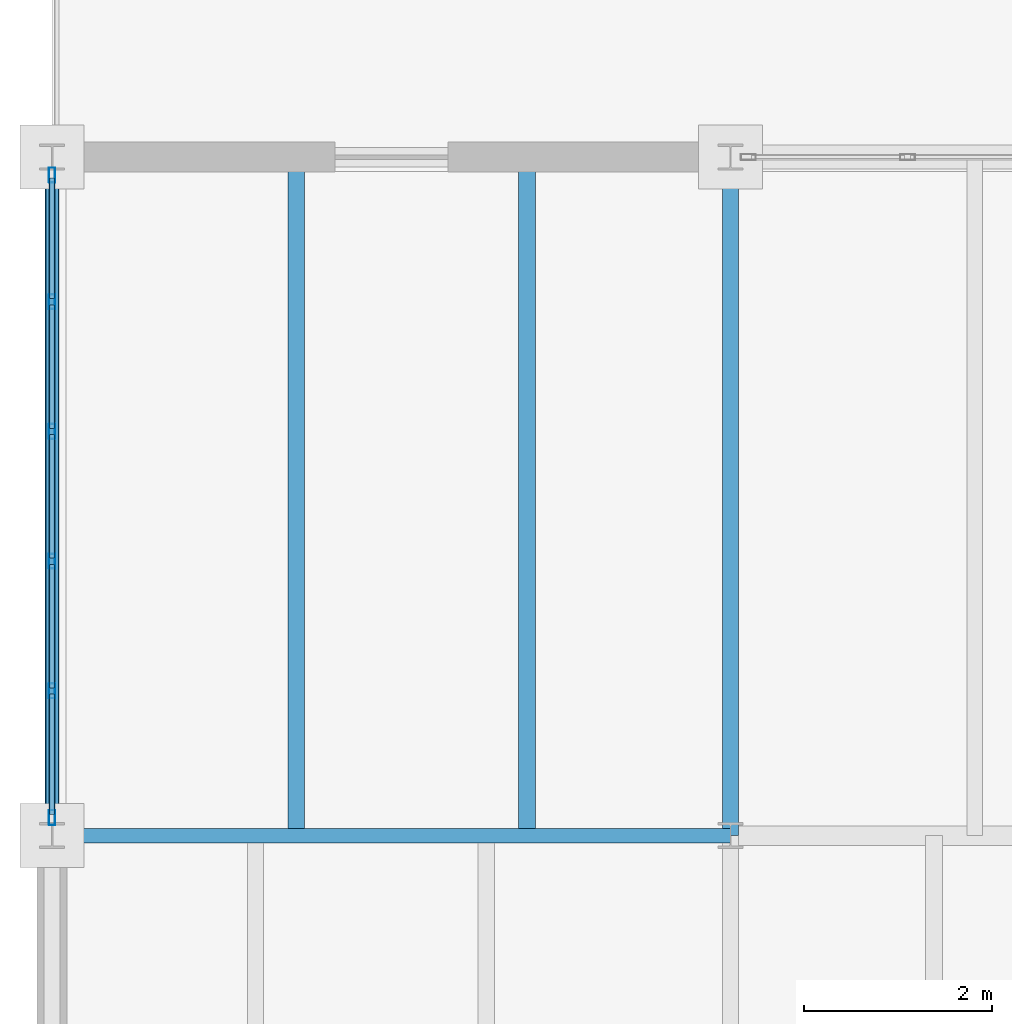
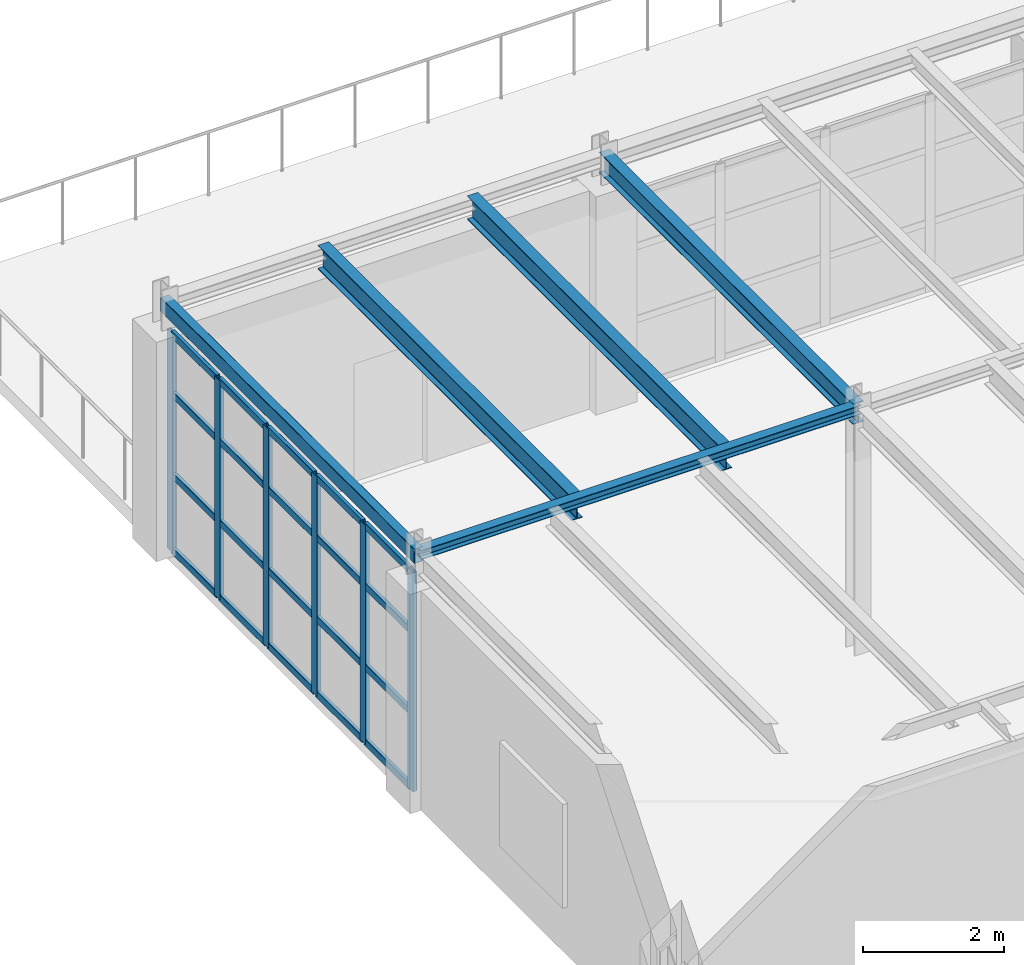
# One storey, part 70 of 101: 26 members, 5 beams, 1 element without a shape of its own.
"""IFC4 building model written with IfcOpenShell, lengths in metres."""

from ifc_helpers import new_model, si_unit, direction, frame, origin, origin_2d, place, context, subcontext, project, spatial, hollow_rectangle, i_section, extrude, material, layer, layer_set, material_profile, profile_set, type_object, element, aggregate, save


model = new_model("IFC4")

# Units and contexts
model_context = context("Model", 3, precision=1e-05, world=origin(), true_north=direction((0.0, 1.0)))
body_context = subcontext(model_context, "Body", "Model", "MODEL_VIEW")
ifc_project = project(units=[si_unit("LENGTHUNIT", "METRE"), si_unit("AREAUNIT", "SQUARE_METRE"), si_unit("VOLUMEUNIT", "CUBIC_METRE"), si_unit("PLANEANGLEUNIT", "RADIAN"), si_unit("MASSUNIT", "GRAM", prefix="KILO")], contexts=[model_context])

# Site, building, storey
site_placement = place(None, origin())
site = spatial("IfcSite", under=ifc_project, at=site_placement, CompositionType="ELEMENT")
building_placement = place(site_placement, origin())
building = spatial("IfcBuilding", under=site, at=building_placement, Name="Kemerveld Promenade Tramway Depot", CompositionType="ELEMENT")
storey_placement = place(building_placement, frame((0.0, 0.0, 9.89990234375)))
storey = spatial("IfcBuildingStorey", under=building, at=storey_placement, Name="L02", CompositionType="ELEMENT", Elevation=9.89990234375)

# Beams
ifc_material_1 = material(Name="Steel S355", Category="steel")
ifc_material_profile_1 = material_profile(ifc_material_1, i_section(OverallWidth=0.172119140625, OverallDepth=0.35791015625, WebThickness=0.008056640625, FlangeThickness=0.012939453125, FilletRadius=0.01025390625, at=origin_2d()), Name="356x171x57 UB")
ifc_profile_set_1 = profile_set([ifc_material_profile_1], Name="Steel S355")
beam_type_1 = type_object("IfcBeamType", Name="BM-G08", PredefinedType="BEAM", material=ifc_profile_set_1)
beam_1_placement = place(storey_placement, frame((7.199951171875, 64.800048828125, 4.106201171875), z_axis=(0.0, 1.0, 0.0), x_axis=(-1.0, 0.0, 0.0)))
element("IfcBeam", 1, at=beam_1_placement, inside=storey, type_object=beam_type_1, Name="BMY-L02-02-K-L", PredefinedType="BEAM", context=body_context, shape_type="SweptSolid", body=[
    extrude(i_section(OverallWidth=0.172119140625, OverallDepth=0.35791015625, WebThickness=0.008056640625, FlangeThickness=0.012939453125, FilletRadius=0.01025390625, at=origin_2d()), origin(), (0.0, 0.0, 1.0), 7.199951171875),
])
ifc_material_profile_2 = material_profile(ifc_material_1, i_section(OverallWidth=0.1787109375, OverallDepth=0.409423828125, WebThickness=0.0087890625, FlangeThickness=0.014404296875, FilletRadius=0.01025390625, at=origin_2d()), Name="406x178x67 UB")
ifc_profile_set_2 = profile_set([ifc_material_profile_2], Name="Steel S355")
beam_type_2 = type_object("IfcBeamType", Name="BM-J05", PredefinedType="JOIST", material=ifc_profile_set_2)
for number, where, z_axis, x_axis, name in (
    (2, (2.592041015625, 64.800048828125, 4.080322265625), (0.0, 1.0, 0.0), (-1.0, 0.0, 0.0), "JST-L02-01-K-1"),
    (3, (5.0400390625, 64.800048828125, 4.080322265625), (0.0, 1.0, 0.0), (-1.0, 0.0, 0.0), "JST-L02-01-K-2"),
):
    element("IfcBeam", number, at=place(storey_placement, frame(where, z_axis=z_axis, x_axis=x_axis)), inside=storey, type_object=beam_type_2, Name=name, PredefinedType="JOIST", context=body_context, shape_type="SweptSolid", body=[
        extrude(i_section(OverallWidth=0.1787109375, OverallDepth=0.409423828125, WebThickness=0.0087890625, FlangeThickness=0.014404296875, FilletRadius=0.01025390625, at=origin_2d()), origin(), (0.0, 0.0, 1.0), 7.199951171875),
    ])
ifc_material_profile_3 = material_profile(ifc_material_1, i_section(OverallWidth=0.154296875, OverallDepth=0.161865234375, WebThickness=0.008056640625, FlangeThickness=0.011474609375, FilletRadius=0.007568359375, at=origin_2d()), Name="152x152x37 UC")
ifc_profile_set_3 = profile_set([ifc_material_profile_3], Name="Steel S355")
beam_type_3 = type_object("IfcBeamType", Name="BM-LN2", PredefinedType="LINTEL", material=ifc_profile_set_3)
beam_2_placement = place(storey_placement, frame((0.0, 64.800048828125, 4.2041015625), z_axis=(1.0, 0.0, 0.0), x_axis=(0.0, 1.0, 0.0)))
element("IfcBeam", 4, at=beam_2_placement, inside=storey, type_object=beam_type_3, Name="BMX-L02-01-02-K", PredefinedType="LINTEL", context=body_context, shape_type="SweptSolid", body=[
    extrude(i_section(OverallWidth=0.154296875, OverallDepth=0.161865234375, WebThickness=0.008056640625, FlangeThickness=0.011474609375, FilletRadius=0.007568359375, at=origin_2d()), origin(), (0.0, 0.0, 1.0), 7.199951171875),
])
ifc_material_profile_4 = material_profile(ifc_material_1, hollow_rectangle(XDim=0.14990234375, YDim=0.25, WallThickness=0.010009765625, InnerFilletRadius=0.0048828125, OuterFilletRadius=0.014892578125, at=origin_2d()), Name="250x150x10.0 RHS")
ifc_profile_set_4 = profile_set([ifc_material_profile_4], Name="Steel S355")
beam_type_4 = type_object("IfcBeamType", Name="BM-SP2", PredefinedType="SPANDREL", material=ifc_profile_set_4)
beam_3_placement = place(storey_placement, frame((0.0, 64.800048828125, 4.16015625), z_axis=(0.0, 1.0, 0.0), x_axis=(-1.0, 0.0, 0.0)))
element("IfcBeam", 5, at=beam_3_placement, inside=storey, type_object=beam_type_4, Name="BMY-L02-01-K-L", PredefinedType="SPANDREL", context=body_context, shape_type="SweptSolid", body=[
    extrude(hollow_rectangle(XDim=0.14990234375, YDim=0.25, WallThickness=0.010009765625, InnerFilletRadius=0.0048828125, OuterFilletRadius=0.014892578125, at=origin_2d()), origin(), (0.0, 0.0, 1.0), 7.199951171875),
])

# Curtain wall, members
ifc_material_2 = material(Name="Bronze anodised aluminium and solar glass", Category="aluminium")
ifc_layer = layer(ifc_material_2, 0.159912109375)
ifc_layer_set = layer_set([ifc_layer], Name="CW-SYS-13")
curtain_wall_type = type_object("IfcCurtainWallType", Name="CW-SYS-13", PredefinedType="USERDEFINED", material=ifc_layer_set)
curtain_wall_placement = place(storey_placement, origin())
curtain_wall = element("IfcCurtainWall", 6, at=curtain_wall_placement, inside=storey, type_object=curtain_wall_type, Name="CW-L02-V5W-10", ObjectType="GLAZED_CURTAIN_WALL", PredefinedType="USERDEFINED")
ifc_material_3 = material(Name="Bronze anodised aluminium", Category="aluminium")
ifc_material_profile_5 = material_profile(ifc_material_3, hollow_rectangle(XDim=0.06494140625, YDim=0.159912109375, WallThickness=0.00390625, InnerFilletRadius=0.001953125, OuterFilletRadius=0.00390625, at=origin_2d()), Name="CW-MUL-160x65")
ifc_profile_set_5 = profile_set([ifc_material_profile_5], Name="Bronze anodised aluminium")
member_type_1 = type_object("IfcMemberType", Name="CW-MUL-A", PredefinedType="MULLION", material=ifc_profile_set_5)
member_1_placement = place(storey_placement, frame((0.0, 64.99072265625, 0.0), z_axis=(0.0, 0.0, 1.0), x_axis=(-1.0, 0.0, 0.0)))
member_1 = element("IfcMember", 7, at=member_1_placement, type_object=member_type_1, Name="CW13 mullion 1", PredefinedType="MULLION", context=body_context, shape_type="SweptSolid", body=[
    extrude(hollow_rectangle(XDim=0.06494140625, YDim=0.159912109375, WallThickness=0.00390625, InnerFilletRadius=0.001953125, OuterFilletRadius=0.00390625, at=origin_2d()), origin(), (0.0, 0.0, 1.0), 3.800048828125),
])
member_2_placement = place(storey_placement, frame((0.0, 66.3349609375, 0.0), z_axis=(0.0, 0.0, 1.0), x_axis=(-1.0, 0.0, 0.0)))
member_2 = element("IfcMember", 8, at=member_2_placement, type_object=member_type_1, Name="CW13 mullion 2", PredefinedType="MULLION", context=body_context, shape_type="SweptSolid", body=[
    extrude(hollow_rectangle(XDim=0.06494140625, YDim=0.159912109375, WallThickness=0.00390625, InnerFilletRadius=0.001953125, OuterFilletRadius=0.00390625, at=origin_2d()), origin(), (0.0, 0.0, 1.0), 3.800048828125),
])
member_3_placement = place(storey_placement, frame((0.0, 67.711669921875, 0.0), z_axis=(0.0, 0.0, 1.0), x_axis=(-1.0, 0.0, 0.0)))
member_3 = element("IfcMember", 9, at=member_3_placement, type_object=member_type_1, Name="CW13 mullion 3", PredefinedType="MULLION", context=body_context, shape_type="SweptSolid", body=[
    extrude(hollow_rectangle(XDim=0.06494140625, YDim=0.159912109375, WallThickness=0.00390625, InnerFilletRadius=0.001953125, OuterFilletRadius=0.00390625, at=origin_2d()), origin(), (0.0, 0.0, 1.0), 3.800048828125),
])
member_4_placement = place(storey_placement, frame((0.0, 69.08837890625, 0.0), z_axis=(0.0, 0.0, 1.0), x_axis=(-1.0, 0.0, 0.0)))
member_4 = element("IfcMember", 10, at=member_4_placement, type_object=member_type_1, Name="CW13 mullion 4", PredefinedType="MULLION", context=body_context, shape_type="SweptSolid", body=[
    extrude(hollow_rectangle(XDim=0.06494140625, YDim=0.159912109375, WallThickness=0.00390625, InnerFilletRadius=0.001953125, OuterFilletRadius=0.00390625, at=origin_2d()), origin(), (0.0, 0.0, 1.0), 3.800048828125),
])
member_5_placement = place(storey_placement, frame((0.0, 70.465087890625, 0.0), z_axis=(0.0, 0.0, 1.0), x_axis=(-1.0, 0.0, 0.0)))
member_5 = element("IfcMember", 11, at=member_5_placement, type_object=member_type_1, Name="CW13 mullion 5", PredefinedType="MULLION", context=body_context, shape_type="SweptSolid", body=[
    extrude(hollow_rectangle(XDim=0.06494140625, YDim=0.159912109375, WallThickness=0.00390625, InnerFilletRadius=0.001953125, OuterFilletRadius=0.00390625, at=origin_2d()), origin(), (0.0, 0.0, 1.0), 3.800048828125),
])
member_6_placement = place(storey_placement, frame((0.0, 71.809326171875, 0.0), z_axis=(0.0, 0.0, 1.0), x_axis=(-1.0, 0.0, 0.0)))
member_6 = element("IfcMember", 12, at=member_6_placement, type_object=member_type_1, Name="CW13 mullion 6", PredefinedType="MULLION", context=body_context, shape_type="SweptSolid", body=[
    extrude(hollow_rectangle(XDim=0.06494140625, YDim=0.159912109375, WallThickness=0.00390625, InnerFilletRadius=0.001953125, OuterFilletRadius=0.00390625, at=origin_2d()), origin(), (0.0, 0.0, 1.0), 3.800048828125),
])
ifc_material_profile_6 = material_profile(ifc_material_3, hollow_rectangle(XDim=0.06005859375, YDim=0.1201171875, WallThickness=0.00390625, InnerFilletRadius=0.001953125, OuterFilletRadius=0.00390625, at=origin_2d()), Name="CW-TRN-120x60")
ifc_profile_set_6 = profile_set([ifc_material_profile_6], Name="Bronze anodised aluminium")
member_type_2 = type_object("IfcMemberType", Name="CW-TRN-A", PredefinedType="USERDEFINED", material=ifc_profile_set_6)
member_7_placement = place(storey_placement, frame((0.0, 65.023193359375, 0.030029296875), z_axis=(0.0, 1.0, 0.0), x_axis=(-1.0, 0.0, 0.0)))
member_7 = element("IfcMember", 13, at=member_7_placement, type_object=member_type_2, Name="CW13 transom 1.1", ObjectType="TRANSOM", PredefinedType="USERDEFINED", context=body_context, shape_type="SweptSolid", body=[
    extrude(hollow_rectangle(XDim=0.06005859375, YDim=0.1201171875, WallThickness=0.00390625, InnerFilletRadius=0.001953125, OuterFilletRadius=0.00390625, at=origin_2d()), origin(), (0.0, 0.0, 1.0), 1.279296875),
])
member_8_placement = place(storey_placement, frame((0.0, 65.023193359375, 1.330078125), z_axis=(0.0, 1.0, 0.0), x_axis=(-1.0, 0.0, 0.0)))
member_8 = element("IfcMember", 14, at=member_8_placement, type_object=member_type_2, Name="CW13 transom 1.2", ObjectType="TRANSOM", PredefinedType="USERDEFINED", context=body_context, shape_type="SweptSolid", body=[
    extrude(hollow_rectangle(XDim=0.06005859375, YDim=0.1201171875, WallThickness=0.00390625, InnerFilletRadius=0.001953125, OuterFilletRadius=0.00390625, at=origin_2d()), origin(), (0.0, 0.0, 1.0), 1.279296875),
])
member_9_placement = place(storey_placement, frame((0.0, 65.023193359375, 2.736083984375), z_axis=(0.0, 1.0, 0.0), x_axis=(-1.0, 0.0, 0.0)))
member_9 = element("IfcMember", 15, at=member_9_placement, type_object=member_type_2, Name="CW13 transom 1.3", ObjectType="TRANSOM", PredefinedType="USERDEFINED", context=body_context, shape_type="SweptSolid", body=[
    extrude(hollow_rectangle(XDim=0.06005859375, YDim=0.1201171875, WallThickness=0.00390625, InnerFilletRadius=0.001953125, OuterFilletRadius=0.00390625, at=origin_2d()), origin(), (0.0, 0.0, 1.0), 1.279296875),
])
member_10_placement = place(storey_placement, frame((0.0, 65.023193359375, 3.77001953125), z_axis=(0.0, 1.0, 0.0), x_axis=(-1.0, 0.0, 0.0)))
member_10 = element("IfcMember", 16, at=member_10_placement, type_object=member_type_2, Name="CW13 transom 1.4", ObjectType="TRANSOM", PredefinedType="USERDEFINED", context=body_context, shape_type="SweptSolid", body=[
    extrude(hollow_rectangle(XDim=0.06005859375, YDim=0.1201171875, WallThickness=0.00390625, InnerFilletRadius=0.001953125, OuterFilletRadius=0.00390625, at=origin_2d()), origin(), (0.0, 0.0, 1.0), 1.279296875),
])
member_11_placement = place(storey_placement, frame((0.0, 66.367431640625, 0.030029296875), z_axis=(0.0, 1.0, 0.0), x_axis=(-1.0, 0.0, 0.0)))
member_11 = element("IfcMember", 17, at=member_11_placement, type_object=member_type_2, Name="CW13 transom 2.1", ObjectType="TRANSOM", PredefinedType="USERDEFINED", context=body_context, shape_type="SweptSolid", body=[
    extrude(hollow_rectangle(XDim=0.06005859375, YDim=0.1201171875, WallThickness=0.00390625, InnerFilletRadius=0.001953125, OuterFilletRadius=0.00390625, at=origin_2d()), origin(), (0.0, 0.0, 1.0), 1.311767578125),
])
member_12_placement = place(storey_placement, frame((0.0, 66.367431640625, 1.330078125), z_axis=(0.0, 1.0, 0.0), x_axis=(-1.0, 0.0, 0.0)))
member_12 = element("IfcMember", 18, at=member_12_placement, type_object=member_type_2, Name="CW13 transom 2.2", ObjectType="TRANSOM", PredefinedType="USERDEFINED", context=body_context, shape_type="SweptSolid", body=[
    extrude(hollow_rectangle(XDim=0.06005859375, YDim=0.1201171875, WallThickness=0.00390625, InnerFilletRadius=0.001953125, OuterFilletRadius=0.00390625, at=origin_2d()), origin(), (0.0, 0.0, 1.0), 1.311767578125),
])
member_13_placement = place(storey_placement, frame((0.0, 66.367431640625, 2.736083984375), z_axis=(0.0, 1.0, 0.0), x_axis=(-1.0, 0.0, 0.0)))
member_13 = element("IfcMember", 19, at=member_13_placement, type_object=member_type_2, Name="CW13 transom 2.3", ObjectType="TRANSOM", PredefinedType="USERDEFINED", context=body_context, shape_type="SweptSolid", body=[
    extrude(hollow_rectangle(XDim=0.06005859375, YDim=0.1201171875, WallThickness=0.00390625, InnerFilletRadius=0.001953125, OuterFilletRadius=0.00390625, at=origin_2d()), origin(), (0.0, 0.0, 1.0), 1.311767578125),
])
member_14_placement = place(storey_placement, frame((0.0, 66.367431640625, 3.77001953125), z_axis=(0.0, 1.0, 0.0), x_axis=(-1.0, 0.0, 0.0)))
member_14 = element("IfcMember", 20, at=member_14_placement, type_object=member_type_2, Name="CW13 transom 2.4", ObjectType="TRANSOM", PredefinedType="USERDEFINED", context=body_context, shape_type="SweptSolid", body=[
    extrude(hollow_rectangle(XDim=0.06005859375, YDim=0.1201171875, WallThickness=0.00390625, InnerFilletRadius=0.001953125, OuterFilletRadius=0.00390625, at=origin_2d()), origin(), (0.0, 0.0, 1.0), 1.311767578125),
])
member_15_placement = place(storey_placement, frame((0.0, 67.744140625, 0.030029296875), z_axis=(0.0, 1.0, 0.0), x_axis=(-1.0, 0.0, 0.0)))
member_15 = element("IfcMember", 21, at=member_15_placement, type_object=member_type_2, Name="CW13 transom 3.1", ObjectType="TRANSOM", PredefinedType="USERDEFINED", context=body_context, shape_type="SweptSolid", body=[
    extrude(hollow_rectangle(XDim=0.06005859375, YDim=0.1201171875, WallThickness=0.00390625, InnerFilletRadius=0.001953125, OuterFilletRadius=0.00390625, at=origin_2d()), origin(), (0.0, 0.0, 1.0), 1.311767578125),
])
member_16_placement = place(storey_placement, frame((0.0, 67.744140625, 1.330078125), z_axis=(0.0, 1.0, 0.0), x_axis=(-1.0, 0.0, 0.0)))
member_16 = element("IfcMember", 22, at=member_16_placement, type_object=member_type_2, Name="CW13 transom 3.2", ObjectType="TRANSOM", PredefinedType="USERDEFINED", context=body_context, shape_type="SweptSolid", body=[
    extrude(hollow_rectangle(XDim=0.06005859375, YDim=0.1201171875, WallThickness=0.00390625, InnerFilletRadius=0.001953125, OuterFilletRadius=0.00390625, at=origin_2d()), origin(), (0.0, 0.0, 1.0), 1.311767578125),
])
member_17_placement = place(storey_placement, frame((0.0, 67.744140625, 2.736083984375), z_axis=(0.0, 1.0, 0.0), x_axis=(-1.0, 0.0, 0.0)))
member_17 = element("IfcMember", 23, at=member_17_placement, type_object=member_type_2, Name="CW13 transom 3.3", ObjectType="TRANSOM", PredefinedType="USERDEFINED", context=body_context, shape_type="SweptSolid", body=[
    extrude(hollow_rectangle(XDim=0.06005859375, YDim=0.1201171875, WallThickness=0.00390625, InnerFilletRadius=0.001953125, OuterFilletRadius=0.00390625, at=origin_2d()), origin(), (0.0, 0.0, 1.0), 1.311767578125),
])
member_18_placement = place(storey_placement, frame((0.0, 67.744140625, 3.77001953125), z_axis=(0.0, 1.0, 0.0), x_axis=(-1.0, 0.0, 0.0)))
member_18 = element("IfcMember", 24, at=member_18_placement, type_object=member_type_2, Name="CW13 transom 3.4", ObjectType="TRANSOM", PredefinedType="USERDEFINED", context=body_context, shape_type="SweptSolid", body=[
    extrude(hollow_rectangle(XDim=0.06005859375, YDim=0.1201171875, WallThickness=0.00390625, InnerFilletRadius=0.001953125, OuterFilletRadius=0.00390625, at=origin_2d()), origin(), (0.0, 0.0, 1.0), 1.311767578125),
])
member_19_placement = place(storey_placement, frame((0.0, 69.120849609375, 0.030029296875), z_axis=(0.0, 1.0, 0.0), x_axis=(-1.0, 0.0, 0.0)))
member_19 = element("IfcMember", 25, at=member_19_placement, type_object=member_type_2, Name="CW13 transom 4.1", ObjectType="TRANSOM", PredefinedType="USERDEFINED", context=body_context, shape_type="SweptSolid", body=[
    extrude(hollow_rectangle(XDim=0.06005859375, YDim=0.1201171875, WallThickness=0.00390625, InnerFilletRadius=0.001953125, OuterFilletRadius=0.00390625, at=origin_2d()), origin(), (0.0, 0.0, 1.0), 1.311767578125),
])
member_20_placement = place(storey_placement, frame((0.0, 69.120849609375, 1.330078125), z_axis=(0.0, 1.0, 0.0), x_axis=(-1.0, 0.0, 0.0)))
member_20 = element("IfcMember", 26, at=member_20_placement, type_object=member_type_2, Name="CW13 transom 4.2", ObjectType="TRANSOM", PredefinedType="USERDEFINED", context=body_context, shape_type="SweptSolid", body=[
    extrude(hollow_rectangle(XDim=0.06005859375, YDim=0.1201171875, WallThickness=0.00390625, InnerFilletRadius=0.001953125, OuterFilletRadius=0.00390625, at=origin_2d()), origin(), (0.0, 0.0, 1.0), 1.311767578125),
])
member_21_placement = place(storey_placement, frame((0.0, 69.120849609375, 2.736083984375), z_axis=(0.0, 1.0, 0.0), x_axis=(-1.0, 0.0, 0.0)))
member_21 = element("IfcMember", 27, at=member_21_placement, type_object=member_type_2, Name="CW13 transom 4.3", ObjectType="TRANSOM", PredefinedType="USERDEFINED", context=body_context, shape_type="SweptSolid", body=[
    extrude(hollow_rectangle(XDim=0.06005859375, YDim=0.1201171875, WallThickness=0.00390625, InnerFilletRadius=0.001953125, OuterFilletRadius=0.00390625, at=origin_2d()), origin(), (0.0, 0.0, 1.0), 1.311767578125),
])
member_22_placement = place(storey_placement, frame((0.0, 69.120849609375, 3.77001953125), z_axis=(0.0, 1.0, 0.0), x_axis=(-1.0, 0.0, 0.0)))
member_22 = element("IfcMember", 28, at=member_22_placement, type_object=member_type_2, Name="CW13 transom 4.4", ObjectType="TRANSOM", PredefinedType="USERDEFINED", context=body_context, shape_type="SweptSolid", body=[
    extrude(hollow_rectangle(XDim=0.06005859375, YDim=0.1201171875, WallThickness=0.00390625, InnerFilletRadius=0.001953125, OuterFilletRadius=0.00390625, at=origin_2d()), origin(), (0.0, 0.0, 1.0), 1.311767578125),
])
member_23_placement = place(storey_placement, frame((0.0, 70.49755859375, 0.030029296875), z_axis=(0.0, 1.0, 0.0), x_axis=(-1.0, 0.0, 0.0)))
member_23 = element("IfcMember", 29, at=member_23_placement, type_object=member_type_2, Name="CW13 transom 5.1", ObjectType="TRANSOM", PredefinedType="USERDEFINED", context=body_context, shape_type="SweptSolid", body=[
    extrude(hollow_rectangle(XDim=0.06005859375, YDim=0.1201171875, WallThickness=0.00390625, InnerFilletRadius=0.001953125, OuterFilletRadius=0.00390625, at=origin_2d()), origin(), (0.0, 0.0, 1.0), 1.279296875),
])
member_24_placement = place(storey_placement, frame((0.0, 70.49755859375, 1.330078125), z_axis=(0.0, 1.0, 0.0), x_axis=(-1.0, 0.0, 0.0)))
member_24 = element("IfcMember", 30, at=member_24_placement, type_object=member_type_2, Name="CW13 transom 5.2", ObjectType="TRANSOM", PredefinedType="USERDEFINED", context=body_context, shape_type="SweptSolid", body=[
    extrude(hollow_rectangle(XDim=0.06005859375, YDim=0.1201171875, WallThickness=0.00390625, InnerFilletRadius=0.001953125, OuterFilletRadius=0.00390625, at=origin_2d()), origin(), (0.0, 0.0, 1.0), 1.279296875),
])
member_25_placement = place(storey_placement, frame((0.0, 70.49755859375, 2.736083984375), z_axis=(0.0, 1.0, 0.0), x_axis=(-1.0, 0.0, 0.0)))
member_25 = element("IfcMember", 31, at=member_25_placement, type_object=member_type_2, Name="CW13 transom 5.3", ObjectType="TRANSOM", PredefinedType="USERDEFINED", context=body_context, shape_type="SweptSolid", body=[
    extrude(hollow_rectangle(XDim=0.06005859375, YDim=0.1201171875, WallThickness=0.00390625, InnerFilletRadius=0.001953125, OuterFilletRadius=0.00390625, at=origin_2d()), origin(), (0.0, 0.0, 1.0), 1.279296875),
])
member_26_placement = place(storey_placement, frame((0.0, 70.49755859375, 3.77001953125), z_axis=(0.0, 1.0, 0.0), x_axis=(-1.0, 0.0, 0.0)))
member_26 = element("IfcMember", 32, at=member_26_placement, type_object=member_type_2, Name="CW13 transom 5.4", ObjectType="TRANSOM", PredefinedType="USERDEFINED", context=body_context, shape_type="SweptSolid", body=[
    extrude(hollow_rectangle(XDim=0.06005859375, YDim=0.1201171875, WallThickness=0.00390625, InnerFilletRadius=0.001953125, OuterFilletRadius=0.00390625, at=origin_2d()), origin(), (0.0, 0.0, 1.0), 1.279296875),
])
aggregate(curtain_wall, [member_1, member_2, member_3, member_4, member_5, member_6, member_7, member_8, member_9, member_10, member_11, member_12, member_13, member_14, member_15, member_16, member_17, member_18, member_19, member_20, member_21, member_22, member_23, member_24, member_25, member_26])

save(model, "model.ifc")
